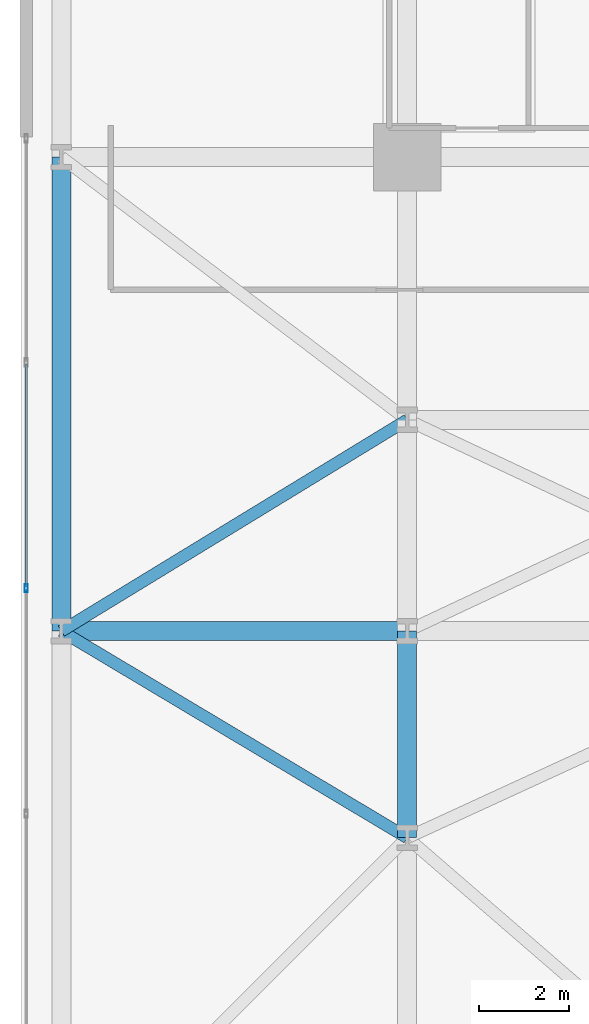
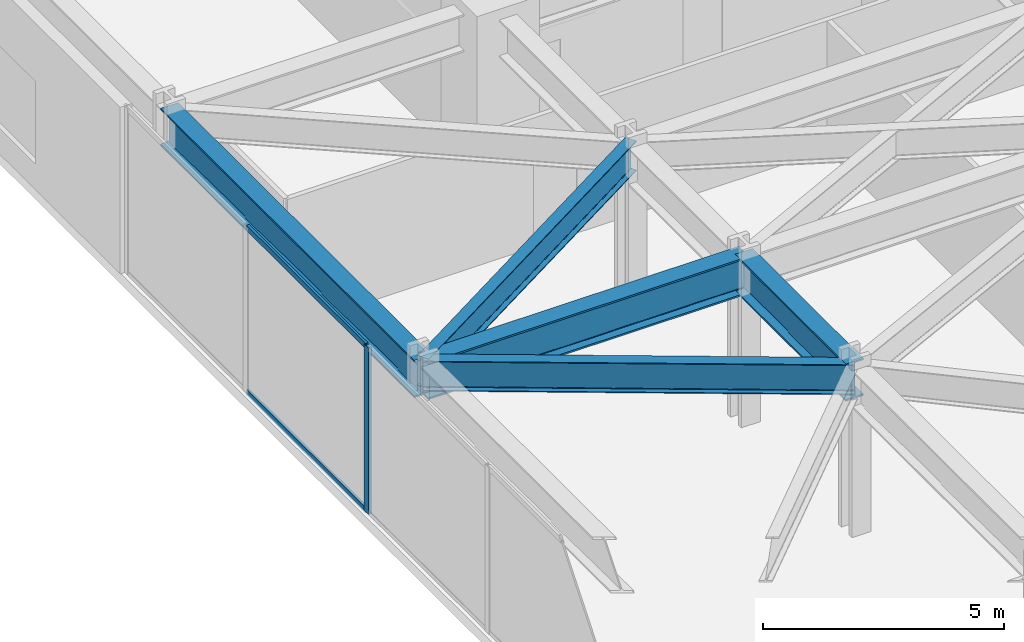
# One storey, part 10 of 28: 5 beams, 3 members, 1 element without a shape of its own.
"""IFC4 building model written with IfcOpenShell, lengths in metres."""

from ifc_helpers import new_model, si_unit, direction, frame, origin, origin_2d, place, context, subcontext, project, spatial, hollow_rectangle, i_section, extrude, material, layer, layer_set, material_profile, profile_set, type_object, element, aggregate, save


model = new_model("IFC4")

# Units and contexts
model_context = context("Model", 3, precision=1e-05, world=origin(), true_north=direction((0.0, 1.0)))
body_context = subcontext(model_context, "Body", "Model", "MODEL_VIEW")
ifc_project = project(units=[si_unit("LENGTHUNIT", "METRE"), si_unit("AREAUNIT", "SQUARE_METRE"), si_unit("VOLUMEUNIT", "CUBIC_METRE"), si_unit("PLANEANGLEUNIT", "RADIAN"), si_unit("MASSUNIT", "GRAM", prefix="KILO")], contexts=[model_context])

# Site, building, storey
site_placement = place(None, origin())
site = spatial("IfcSite", under=ifc_project, at=site_placement, CompositionType="ELEMENT")
building_placement = place(site_placement, origin())
building = spatial("IfcBuilding", under=site, at=building_placement, Name="Kravanh Interchange Tower", CompositionType="ELEMENT")
storey_placement = place(building_placement, frame((0.0, 0.0, 10.800048828125)))
storey = spatial("IfcBuildingStorey", under=building, at=storey_placement, Name="L02", CompositionType="ELEMENT", Elevation=10.800048828125)

# Curtain wall, members
ifc_material_1 = material(Name="Anodised Bronze Aluminium", Category="aluminium")
ifc_layer = layer(ifc_material_1, 0.179931640625)
ifc_layer_set = layer_set([ifc_layer], Name="Unitised Curtain Wall System CW-POD Podium Concourse")
curtain_wall_type = type_object("IfcCurtainWallType", Name="Unitised Curtain Wall System CW-POD Podium Concourse", PredefinedType="NOTDEFINED", material=ifc_layer_set)
curtain_wall_placement = place(storey_placement, origin())
curtain_wall = element("IfcCurtainWall", 1, at=curtain_wall_placement, inside=storey, type_object=curtain_wall_type, Name="L02 Unitised Curtain Wall CW-L02-01", PredefinedType="NOTDEFINED")
ifc_material_2 = material(Name="Anodised Bronze Aluminium", Category="aluminium")
ifc_material_profile_1 = material_profile(ifc_material_2, hollow_rectangle(XDim=0.070068359375, YDim=0.179931640625, WallThickness=0.00390625, at=origin_2d()), Name="ALU70X180X4")
ifc_profile_set_1 = profile_set([ifc_material_profile_1], Name="Anodised Bronze Aluminium")
member_type_1 = type_object("IfcMemberType", Name="Curtain Wall Mullion ALU70X180X4 Bronze", PredefinedType="MULLION", material=ifc_profile_set_1)
member_1_placement = place(storey_placement, frame((0.1201171875, 27.757080078125, 0.0), z_axis=(0.0, 0.0, 1.0), x_axis=(-1.0, 0.0, 0.0)))
member_1 = element("IfcMember", 2, at=member_1_placement, type_object=member_type_1, Name="CW-POD mullion 6", PredefinedType="MULLION", context=body_context, shape_type="SweptSolid", body=[
    extrude(hollow_rectangle(XDim=0.070068359375, YDim=0.179931640625, WallThickness=0.00390625, at=origin_2d()), origin(), (0.0, 0.0, 1.0), 4.22998046875),
])
ifc_material_3 = material(Name="Anodised Bronze Aluminium", Category="aluminium")
ifc_material_profile_2 = material_profile(ifc_material_3, hollow_rectangle(XDim=0.06005859375, YDim=0.139892578125, WallThickness=0.00390625, at=origin_2d()), Name="ALU60X140X4")
ifc_profile_set_2 = profile_set([ifc_material_profile_2], Name="Anodised Bronze Aluminium")
member_type_2 = type_object("IfcMemberType", Name="Curtain Wall Transom ALU60X140X4 Bronze", PredefinedType="USERDEFINED", material=ifc_profile_set_2)
member_2_placement = place(storey_placement, frame((0.1201171875, 27.7919921875, 0.030029296875), z_axis=(0.0, 1.0, 0.0), x_axis=(-1.0, 0.0, 0.0)))
member_2 = element("IfcMember", 3, at=member_2_placement, type_object=member_type_2, Name="CW-POD transom 6.1", ObjectType="TRANSOM", PredefinedType="USERDEFINED", context=body_context, shape_type="SweptSolid", body=[
    extrude(hollow_rectangle(XDim=0.06005859375, YDim=0.139892578125, WallThickness=0.00390625, at=origin_2d()), origin(), (0.0, 0.0, 1.0), 4.951416015625),
])
member_3_placement = place(storey_placement, frame((0.1201171875, 27.7919921875, 4.199951171875), z_axis=(0.0, 1.0, 0.0), x_axis=(-1.0, 0.0, 0.0)))
member_3 = element("IfcMember", 4, at=member_3_placement, type_object=member_type_2, Name="CW-POD transom 6.2", ObjectType="TRANSOM", PredefinedType="USERDEFINED", context=body_context, shape_type="SweptSolid", body=[
    extrude(hollow_rectangle(XDim=0.06005859375, YDim=0.139892578125, WallThickness=0.00390625, at=origin_2d()), origin(), (0.0, 0.0, 1.0), 4.951416015625),
])
aggregate(curtain_wall, [member_1, member_2, member_3])

# Beams
ifc_material_4 = material(Name="Structural Steel S450", Category="steel")
ifc_material_profile_3 = material_profile(ifc_material_4, i_section(OverallWidth=0.423095703125, OverallDepth=0.947998046875, WebThickness=0.02392578125, FlangeThickness=0.042724609375, FilletRadius=0.028076171875, at=origin_2d()), Name="W36X302")
ifc_profile_set_3 = profile_set([ifc_material_profile_3], Name="Structural Steel S450")
beam_type_1 = type_object("IfcBeamType", Name="Floor Beam W36X302 Structural Steel S450", PredefinedType="BEAM", material=ifc_profile_set_3)
beam_1_placement = place(storey_placement, frame((8.60009765625, 22.199951171875, 3.755859375), z_axis=(0.0, 1.0, 0.0), x_axis=(-1.0, 0.0, 0.0)))
element("IfcBeam", 5, at=beam_1_placement, inside=storey, type_object=beam_type_1, Name="L02 Primary Floor Girder 57", PredefinedType="BEAM", context=body_context, shape_type="SweptSolid", body=[
    extrude(i_section(OverallWidth=0.423095703125, OverallDepth=0.947998046875, WebThickness=0.02392578125, FlangeThickness=0.042724609375, FilletRadius=0.028076171875, at=origin_2d()), origin(), (0.0, 0.0, 1.0), 4.60009765625),
])
beam_2_placement = place(storey_placement, frame((8.60009765625, 26.800048828125, 3.755859375), z_axis=(-1.0, 0.0, 0.0), x_axis=(0.0, -1.0, 0.0)))
element("IfcBeam", 6, at=beam_2_placement, inside=storey, type_object=beam_type_1, Name="L02 Primary Floor Girder 74", PredefinedType="BEAM", context=body_context, shape_type="SweptSolid", body=[
    extrude(i_section(OverallWidth=0.423095703125, OverallDepth=0.947998046875, WebThickness=0.02392578125, FlangeThickness=0.042724609375, FilletRadius=0.028076171875, at=origin_2d()), origin(), (0.0, 0.0, 1.0), 7.7001953125),
])
beam_3_placement = place(storey_placement, frame((0.89990234375, 26.800048828125, 3.755859375), z_axis=(0.0, 1.0, 0.0), x_axis=(-1.0, 0.0, 0.0)))
element("IfcBeam", 7, at=beam_3_placement, inside=storey, type_object=beam_type_1, Name="L02 Primary Floor Girder 124", PredefinedType="BEAM", context=body_context, shape_type="SweptSolid", body=[
    extrude(i_section(OverallWidth=0.423095703125, OverallDepth=0.947998046875, WebThickness=0.02392578125, FlangeThickness=0.042724609375, FilletRadius=0.028076171875, at=origin_2d()), origin(), (0.0, 0.0, 1.0), 10.550048828125),
])
ifc_material_5 = material(Name="Structural Steel S355", Category="steel")
ifc_material_profile_4 = material_profile(ifc_material_5, i_section(OverallWidth=0.26708984375, OverallDepth=0.761962890625, WebThickness=0.014404296875, FlangeThickness=0.021484375, FilletRadius=0.02490234375, at=origin_2d()), Name="W30X116")
ifc_profile_set_4 = profile_set([ifc_material_profile_4], Name="Structural Steel S355")
beam_type_2 = type_object("IfcBeamType", Name="Floor Spandrel W30X116 Structural Steel S355", PredefinedType="SPANDREL", material=ifc_profile_set_4)
beam_4_placement = place(storey_placement, frame((8.60009765625, 22.199951171875, 3.848876953125), z_axis=(-0.858476029739, 0.512853689041, 0.0), x_axis=(-0.512853689041, -0.858476029739, 0.0)))
element("IfcBeam", 8, at=beam_4_placement, inside=storey, type_object=beam_type_2, Name="L02 Perimeter Spandrel 58", PredefinedType="SPANDREL", context=body_context, shape_type="SweptSolid", body=[
    extrude(i_section(OverallWidth=0.26708984375, OverallDepth=0.761962890625, WebThickness=0.014404296875, FlangeThickness=0.021484375, FilletRadius=0.02490234375, at=origin_2d()), origin(), (0.0, 0.0, 1.0), 8.9697265625),
])
beam_5_placement = place(storey_placement, frame((8.60009765625, 31.5, 3.848876953125), z_axis=(-0.85356401423, -0.520987978375, 0.0), x_axis=(0.520987978375, -0.85356401423, 0.0)))
element("IfcBeam", 9, at=beam_5_placement, inside=storey, type_object=beam_type_2, Name="L02 Perimeter Spandrel 105", PredefinedType="SPANDREL", context=body_context, shape_type="SweptSolid", body=[
    extrude(i_section(OverallWidth=0.26708984375, OverallDepth=0.761962890625, WebThickness=0.014404296875, FlangeThickness=0.021484375, FilletRadius=0.02490234375, at=origin_2d()), origin(), (0.0, 0.0, 1.0), 9.021240234375),
])

save(model, "model.ifc")
